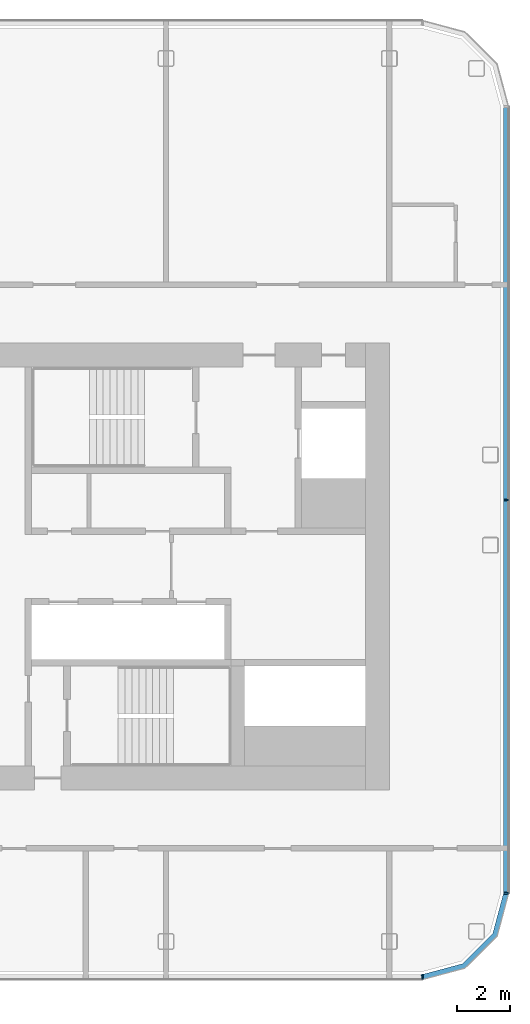
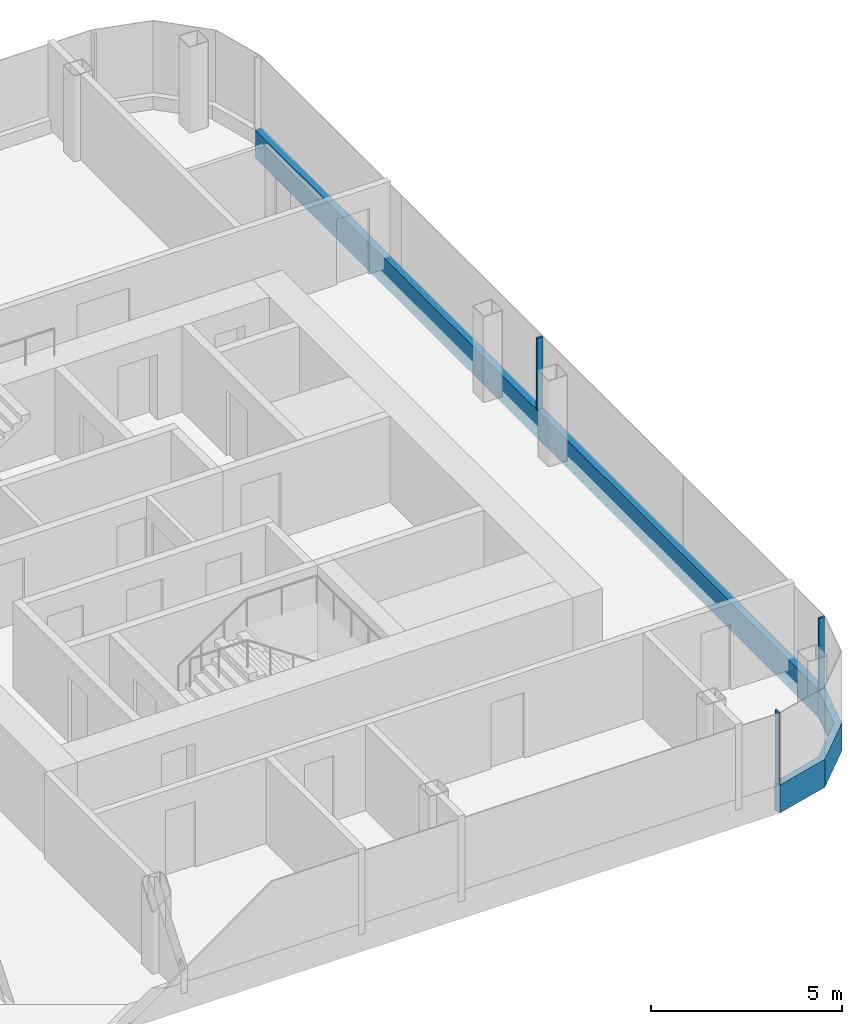
# One storey, part 10 of 26: 5 members, 3 elements without a shape of their own.
"""IFC4 building model written with IfcOpenShell, lengths in metres."""

import ifcopenshell
import ifcopenshell.guid

model = None  # the IFC model being written
_history = None  # IfcOwnerHistory: only IFC2X3 demands one
_inside = {}  # id of a spatial element -> (the spatial element, [elements in it])
_under = {}  # id of a project, library or spatial element -> (it, [spatial elements below it])
_declared = {}  # id of a project -> (the project, [libraries it declares])
_typed = {}  # id of a type object -> (the type object, [elements of that type])
_made_of = {}  # id of a material, layer set ... -> (it, [elements and type objects made of it])


def new_model(schema):
    """Start an empty IFC model of exactly this schema.

    Asked for "IFC4X3", IfcOpenShell would pick the latest addendum, in which some entities
    have other attributes; the version numbers below select the first issue.
    IFC2X3 requires an IfcOwnerHistory on every rooted entity: one is made here for all.
    """
    global model, _history
    if schema == "IFC4X3":
        model = ifcopenshell.file(schema_version=(4, 3, 0, 0))
    else:
        model = ifcopenshell.file(schema=schema)
    _inside.clear()
    _under.clear()
    _declared.clear()
    _typed.clear()
    _made_of.clear()
    _history = None
    if model.schema == "IFC2X3":
        org = make("IfcOrganization", Name="unknown")
        user = make(
            "IfcPersonAndOrganization",
            ThePerson=make("IfcPerson", FamilyName="unknown"),
            TheOrganization=org,
        )
        app = make(
            "IfcApplication",
            ApplicationDeveloper=org,
            Version="unknown",
            ApplicationFullName="unknown",
            ApplicationIdentifier="unknown",
        )
        _history = make(
            "IfcOwnerHistory",
            OwningUser=user,
            OwningApplication=app,
            ChangeAction="ADDED",
            CreationDate=0,
        )
    return model


def make(cls, **values):
    """One entity of the class cls with the attributes given. An attribute that is None is left unset."""
    return model.create_entity(
        cls, **{name: value for name, value in values.items() if value is not None}
    )


def rooted(cls, **values):
    """An entity with a GlobalId (a new one), such as an element, a storey or a relation."""
    return make(cls, GlobalId=ifcopenshell.guid.new(), OwnerHistory=_history, **values)


def si_unit(unit_type, name, prefix=None):
    """IfcSIUnit, for example si_unit("LENGTHUNIT", "METRE", prefix="MILLI")."""
    return make("IfcSIUnit", UnitType=unit_type, Prefix=prefix, Name=name)


def assignment(units):
    """IfcUnitAssignment: the units of a project."""
    return None if units is None else make("IfcUnitAssignment", Units=units)


def point(xyz):
    """IfcCartesianPoint."""
    return None if xyz is None else make("IfcCartesianPoint", Coordinates=xyz)


def direction(xyz):
    """IfcDirection."""
    return None if xyz is None else make("IfcDirection", DirectionRatios=xyz)


def frame(location, z_axis=None, x_axis=None):
    """IfcAxis2Placement3D, a coordinate frame: its origin and axes. An axis left out is left unset."""
    return make(
        "IfcAxis2Placement3D",
        Location=point(location),
        Axis=direction(z_axis),
        RefDirection=direction(x_axis),
    )


def frame_2d(location, x_axis=None):
    """IfcAxis2Placement2D, a coordinate frame in the plane: its origin and x axis."""
    return make(
        "IfcAxis2Placement2D", Location=point(location), RefDirection=direction(x_axis)
    )


def origin():
    """The frame at (0, 0, 0) with its axes left unset."""
    return frame((0.0, 0.0, 0.0))


def origin_2d():
    """The frame at (0, 0) in the plane with its x axis left unset."""
    return frame_2d((0.0, 0.0))


def place(relative_to, where):
    """IfcLocalPlacement: puts the frame where relative to a parent placement (None: the world)."""
    return make(
        "IfcLocalPlacement", PlacementRelTo=relative_to, RelativePlacement=where
    )


def context(
    kind, dimensions, precision=None, world=None, true_north=None, identifier=None
):
    """IfcGeometricRepresentationContext, for example the 3D "Model" context."""
    return make(
        "IfcGeometricRepresentationContext",
        ContextIdentifier=identifier,
        ContextType=kind,
        CoordinateSpaceDimension=dimensions,
        Precision=precision,
        WorldCoordinateSystem=world,
        TrueNorth=true_north,
    )


def subcontext(parent, identifier, kind, view, scale=None):
    """IfcGeometricRepresentationSubContext, for example "Body" below "Model"."""
    return make(
        "IfcGeometricRepresentationSubContext",
        ContextIdentifier=identifier,
        ContextType=kind,
        ParentContext=parent,
        TargetScale=scale,
        TargetView=view,
    )


def project(units=None, contexts=None):
    """IfcProject with its units and contexts."""
    return rooted(
        "IfcProject",
        Name="project",
        RepresentationContexts=contexts,
        UnitsInContext=assignment(units),
    )


def spatial(cls, under=None, at=None, **own):
    """A site, building, storey or space (cls), placed at a placement, below another one or the project."""
    s = rooted(cls, ObjectPlacement=at, **own)
    if under is not None:
        _under.setdefault(under.id(), (under, []))[1].append(s)
    return s


def polyline(points):
    """IfcPolyline through the points."""
    return make("IfcPolyline", Points=[point(p) for p in points])


def profile(cls, at=None, kind="AREA", **sizes):
    """A parametric profile (cls). Its sizes go by their IFC names, for example OverallWidth=200.0."""
    return make(cls, ProfileType=kind, Position=at, **sizes)


def rectangle(**sizes):
    """IfcRectangleProfileDef."""
    return profile("IfcRectangleProfileDef", **sizes)


def outline(outer, holes=None, kind="AREA"):
    """IfcArbitraryClosedProfileDef: a profile drawn as a closed curve; with holes, ...WithVoids."""
    if holes is None:
        return make("IfcArbitraryClosedProfileDef", ProfileType=kind, OuterCurve=outer)
    return make(
        "IfcArbitraryProfileDefWithVoids",
        ProfileType=kind,
        OuterCurve=outer,
        InnerCurves=holes,
    )


def extrude(swept, where, along, depth):
    """IfcExtrudedAreaSolid: the profile swept, set in the frame where, extruded along a direction by depth."""
    return make(
        "IfcExtrudedAreaSolid",
        SweptArea=swept,
        Position=where,
        ExtrudedDirection=direction(along),
        Depth=depth,
    )


def shape(context_of_items, identifier, shape_type, items):
    """IfcShapeRepresentation: the items that make up one representation, for example the "Body"."""
    return make(
        "IfcShapeRepresentation",
        ContextOfItems=context_of_items,
        RepresentationIdentifier=identifier,
        RepresentationType=shape_type,
        Items=items,
    )


def material(Name=None, Category=None):
    """IfcMaterial."""
    return make("IfcMaterial", Name=Name, Category=Category)


def layer(
    of_material, thickness, ventilated=None, Name=None, Category=None, Priority=None
):
    """IfcMaterialLayer: one layer of a wall or slab, of a material (None: an air gap)."""
    return make(
        "IfcMaterialLayer",
        Material=of_material,
        LayerThickness=thickness,
        IsVentilated=ventilated,
        Name=Name,
        Category=Category,
        Priority=Priority,
    )


def layer_set(layers, Name=None):
    """IfcMaterialLayerSet."""
    return make("IfcMaterialLayerSet", MaterialLayers=layers, LayerSetName=Name)


def material_profile(
    of_material, cross_section, Name=None, Category=None, Priority=None
):
    """IfcMaterialProfile: a cross section and its material."""
    return make(
        "IfcMaterialProfile",
        Name=Name,
        Material=of_material,
        Profile=cross_section,
        Priority=Priority,
        Category=Category,
    )


def profile_set(profiles, Name=None, composite=None):
    """IfcMaterialProfileSet."""
    return make(
        "IfcMaterialProfileSet",
        Name=Name,
        MaterialProfiles=profiles,
        CompositeProfile=composite,
    )


def made_of(thing, what):
    """Note that an element or type object is made of a material, layer set ...; save() writes the relation."""
    if what is not None:
        _made_of.setdefault(what.id(), (what, []))[1].append(thing)
    return thing


def type_object(cls, material=None, **own):
    """A type object (cls), such as IfcWallType, which elements share."""
    return made_of(rooted(cls, **own), material)


def element(
    cls,
    number,
    at=None,
    inside=None,
    cuts=None,
    type_object=None,
    material=None,
    context=None,
    identifier="Body",
    shape_type=None,
    held_by="IfcProductDefinitionShape",
    body=None,
    shapes=None,
    **own,
):
    """One element of the class cls, such as IfcWall. Its Tag is "e" and its number.

    at: its placement. inside: the storey or other place that contains it. cuts: it is an
    opening in that element (IfcRelVoidsElement). A single representation is given by context,
    identifier, shape_type and body (its items); several are given by shapes. held_by: the class
    of the entity that holds the representations. save() writes the other relations.
    """
    e = rooted(cls, Tag="e%d" % number, ObjectPlacement=at, **own)
    if body is not None:
        shapes = [shape(context, identifier, shape_type, body)]
    if shapes is not None:
        e.Representation = make(held_by, Representations=shapes)
    if inside is not None:
        _inside.setdefault(inside.id(), (inside, []))[1].append(e)
    if cuts is not None:
        rooted(
            "IfcRelVoidsElement", RelatingBuildingElement=cuts, RelatedOpeningElement=e
        )
    if type_object is not None:
        _typed.setdefault(type_object.id(), (type_object, []))[1].append(e)
    return made_of(e, material)


def aggregate(whole, parts):
    """IfcRelAggregates: a whole, such as a stair, and the parts it consists of."""
    return rooted("IfcRelAggregates", RelatingObject=whole, RelatedObjects=parts)


def save(model, path):
    """Write the relations noted so far, then the file.

    IfcRelAggregates (storeys below a building ...), IfcRelContainedInSpatialStructure (elements
    in a storey), IfcRelDefinesByType, IfcRelAssociatesMaterial and IfcRelDeclares: one each for
    every whole, place, type object, material and project.
    """
    for whole, parts in _under.values():
        aggregate(whole, parts)
    for where, things in _inside.values():
        rooted(
            "IfcRelContainedInSpatialStructure",
            RelatedElements=things,
            RelatingStructure=where,
        )
    for kind, things in _typed.values():
        rooted("IfcRelDefinesByType", RelatedObjects=things, RelatingType=kind)
    for what, things in _made_of.values():
        rooted("IfcRelAssociatesMaterial", RelatedObjects=things, RelatingMaterial=what)
    for by, libraries in _declared.values():
        rooted("IfcRelDeclares", RelatingContext=by, RelatedDefinitions=libraries)
    model.write(path)


model = new_model("IFC4")

# Units and contexts
model_context = context("Model", 3, precision=1e-05, world=origin(), true_north=direction((0.0, 1.0)))
body_context = subcontext(model_context, "Body", "Model", "MODEL_VIEW")
ifc_project = project(units=[si_unit("LENGTHUNIT", "METRE"), si_unit("AREAUNIT", "SQUARE_METRE"), si_unit("VOLUMEUNIT", "CUBIC_METRE"), si_unit("PLANEANGLEUNIT", "RADIAN"), si_unit("MASSUNIT", "GRAM", prefix="KILO")], contexts=[model_context])

# Site, building, storey
site_placement = place(None, origin())
site = spatial("IfcSite", under=ifc_project, at=site_placement, CompositionType="ELEMENT")
building_placement = place(site_placement, origin())
building = spatial("IfcBuilding", under=site, at=building_placement, Name="Hakoniwa Tower and Hamabe Station Hall", CompositionType="ELEMENT")
storey_placement = place(building_placement, frame((0.0, 0.0, 189.800048828125)))
storey = spatial("IfcBuildingStorey", under=building, at=storey_placement, Name="L53", CompositionType="ELEMENT", Elevation=189.800048828125)

# Curtain wall, member
ifc_material_1 = material(Name="Dark low-e laminated glass", Category="glass")
ifc_layer = layer(ifc_material_1, 0.199951171875)
ifc_layer_set = layer_set([ifc_layer], Name="CW-1 UNITISED GUEST")
curtain_wall_type = type_object("IfcCurtainWallType", Name="CW-1 UNITISED GUEST", PredefinedType="NOTDEFINED", material=ifc_layer_set)
curtain_wall_1_placement = place(storey_placement, origin())
curtain_wall_1 = element("IfcCurtainWall", 1, at=curtain_wall_1_placement, inside=storey, type_object=curtain_wall_type, Name="CW-1 curtain wall", PredefinedType="NOTDEFINED")
ifc_material_2 = material(Name="Aluminium 6063-T5 black anodised", Category="aluminium")
ifc_material_profile_1 = material_profile(ifc_material_2, rectangle(XDim=0.199951171875, YDim=0.89990234375, at=origin_2d()), Name="CW SLAB-EDGE BAND 900X200")
ifc_profile_set_1 = profile_set([ifc_material_profile_1], Name="Aluminium 6063-T5 black anodised")
member_type_1 = type_object("IfcMemberType", Name="CW SLAB-EDGE BAND 900X200", PredefinedType="USERDEFINED", material=ifc_profile_set_1)
member_1_placement = place(storey_placement, frame((38.0, -12.28955078125, -0.10009765625), z_axis=(0.0, 1.0, 0.0), x_axis=(-1.0, 0.0, 0.0)))
member_1 = element("IfcMember", 2, at=member_1_placement, type_object=member_type_1, Name="CW-1 transom", ObjectType="TRANSOM", PredefinedType="USERDEFINED", context=body_context, shape_type="SweptSolid", body=[
    extrude(rectangle(XDim=0.199951171875, YDim=0.89990234375, at=origin_2d()), origin(), (0.0, 0.0, 1.0), 29.5791015625),
])

curtain_wall_2_placement = place(storey_placement, origin())
curtain_wall_2 = element("IfcCurtainWall", 3, at=curtain_wall_2_placement, inside=storey, type_object=curtain_wall_type, Name="CW-1 curtain wall", PredefinedType="NOTDEFINED")
member_2_placement = place(storey_placement, frame((0.0, 0.0, -0.550048828125)))
member_2 = element("IfcMember", 4, at=member_2_placement, type_object=member_type_1, Name="CW-1 transom", ObjectType="TRANSOM", PredefinedType="USERDEFINED", context=body_context, shape_type="SweptSolid", body=[
    extrude(outline(polyline([(34.839599609375, -15.550048828125), (36.455322265625, -15.116943359375), (37.6669921875, -13.9052734375), (38.10009765625, -12.28955078125), (37.90673828125, -12.23779296875), (37.48779296875, -13.8017578125), (36.351806640625, -14.937744140625), (34.787841796875, -15.35693359375), (34.839599609375, -15.550048828125)])), origin(), (0.0, 0.0, 1.0), 0.89990234375),
])
aggregate(curtain_wall_2, [member_2])

# Member
ifc_material_3 = material(Name="Aluminium 6063-T5 black anodised", Category="aluminium")
ifc_material_profile_2 = material_profile(ifc_material_3, rectangle(XDim=0.06005859375, YDim=0.179931640625, at=origin_2d()), Name="CW-1 MULLION 60X180")
ifc_profile_set_2 = profile_set([ifc_material_profile_2], Name="Aluminium 6063-T5 black anodised")
member_type_2 = type_object("IfcMemberType", Name="CW-1 MULLION 60X180", PredefinedType="MULLION", material=ifc_profile_set_2)
member_3_placement = place(storey_placement, frame((37.98193359375, -12.28955078125, 0.349853515625), z_axis=(0.0, 0.0, 1.0), x_axis=(0.0, 1.0, 0.0)))
member_3 = element("IfcMember", 5, at=member_3_placement, type_object=member_type_2, Name="CW-1 mullion", PredefinedType="MULLION", context=body_context, shape_type="SweptSolid", body=[
    extrude(rectangle(XDim=0.06005859375, YDim=0.179931640625, at=origin_2d()), origin(), (0.0, 0.0, 1.0), 2.300048828125),
])

member_4_placement = place(storey_placement, frame((37.98193359375, 2.5, 0.349853515625), z_axis=(0.0, 0.0, 1.0), x_axis=(0.0, 1.0, 0.0)))
member_4 = element("IfcMember", 6, at=member_4_placement, type_object=member_type_2, Name="CW-1 mullion", PredefinedType="MULLION", context=body_context, shape_type="SweptSolid", body=[
    extrude(rectangle(XDim=0.06005859375, YDim=0.179931640625, at=origin_2d()), origin(), (0.0, 0.0, 1.0), 2.300048828125),
])

aggregate(curtain_wall_1, [member_3, member_4, member_1])

# Curtain wall, member
curtain_wall_3_placement = place(storey_placement, origin())
curtain_wall_3 = element("IfcCurtainWall", 7, at=curtain_wall_3_placement, inside=storey, type_object=curtain_wall_type, Name="CW-1 curtain wall", PredefinedType="NOTDEFINED")
member_5_placement = place(storey_placement, frame((34.839599609375, -15.431884765625, 0.349853515625), z_axis=(0.0, 0.0, 1.0), x_axis=(1.0, 0.0, 0.0)))
member_5 = element("IfcMember", 8, at=member_5_placement, type_object=member_type_2, Name="CW-1 mullion", PredefinedType="MULLION", context=body_context, shape_type="SweptSolid", body=[
    extrude(rectangle(XDim=0.06005859375, YDim=0.179931640625, at=origin_2d()), origin(), (0.0, 0.0, 1.0), 2.300048828125),
])
aggregate(curtain_wall_3, [member_5])

save(model, "model.ifc")
